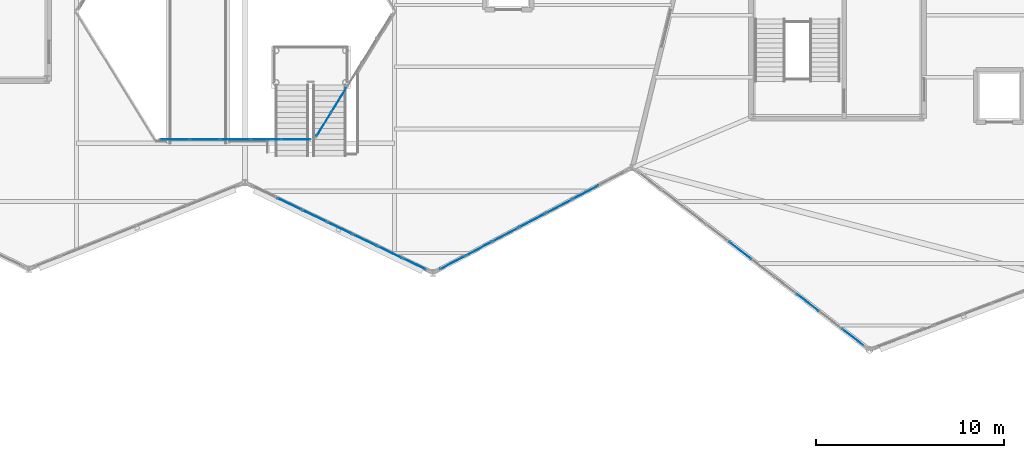
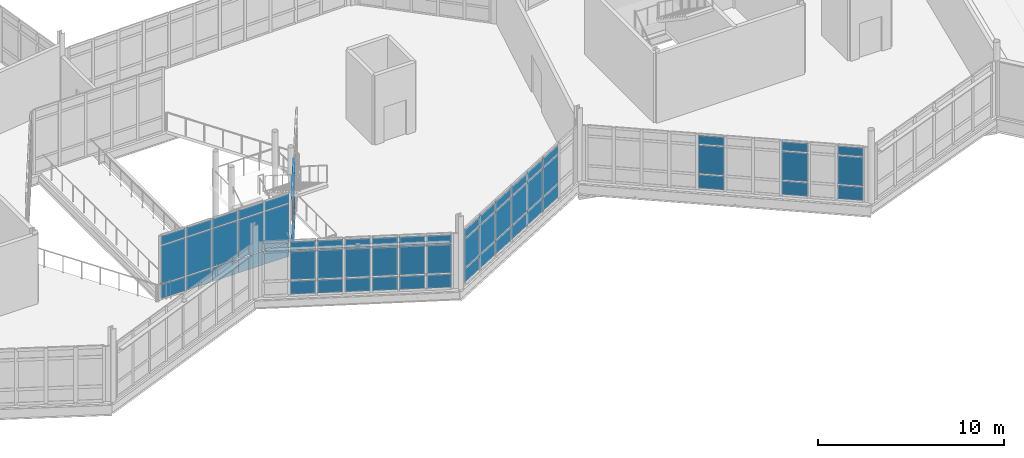
# One storey, part 71 of 114: 66 plates, 5 elements without a shape of their own.
"""IFC4 building model written with IfcOpenShell, lengths in metres."""

from ifc_helpers import new_model, si_unit, direction, frame, origin, origin_2d, place, context, subcontext, project, spatial, rectangle, extrude, material, layer, layer_set, type_object, element, aggregate, save


model = new_model("IFC4")

# Units and contexts
model_context = context("Model", 3, precision=1e-05, world=origin(), true_north=direction((0.0, 1.0)))
body_context = subcontext(model_context, "Body", "Model", "MODEL_VIEW")
ifc_project = project(units=[si_unit("LENGTHUNIT", "METRE"), si_unit("AREAUNIT", "SQUARE_METRE"), si_unit("VOLUMEUNIT", "CUBIC_METRE"), si_unit("PLANEANGLEUNIT", "RADIAN"), si_unit("MASSUNIT", "GRAM", prefix="KILO")], contexts=[model_context])

# Site, building, storey
site_placement = place(None, origin())
site = spatial("IfcSite", under=ifc_project, at=site_placement, CompositionType="ELEMENT")
building_placement = place(site_placement, origin())
building = spatial("IfcBuilding", under=site, at=building_placement, Name="Tameran Prism Museum", CompositionType="ELEMENT")
storey_placement = place(building_placement, frame((0.0, 0.0, 10.199951171875)))
storey = spatial("IfcBuildingStorey", under=building, at=storey_placement, Name="L02", CompositionType="ELEMENT", Elevation=10.199951171875)

# Curtain wall, plates
ifc_material_1 = material(Name="Anodised Aluminium 6063-T6 and Cyclone Solar Glass", Category="aluminium")
curtain_wall_type_1 = type_object("IfcCurtainWallType", Name="CW-ATR-810x424", PredefinedType="USERDEFINED", material=ifc_material_1)
curtain_wall_1_placement = place(storey_placement, origin())
curtain_wall_1 = element("IfcCurtainWall", 1, at=curtain_wall_1_placement, inside=storey, type_object=curtain_wall_type_1, Name="Unitised Curtain Wall CW-007", ObjectType="UNITISED CURTAIN WALL", PredefinedType="USERDEFINED")
ifc_material_2 = material(Name="Low-E Laminated Solar Glass", Category="glass")
ifc_layer_1 = layer(ifc_material_2, 0.028076171875)
ifc_layer_set_1 = layer_set([ifc_layer_1])
plate_type_1 = type_object("IfcPlateType", Name="CW-PNL-G28", PredefinedType="CURTAIN_PANEL", material=ifc_layer_set_1)
plate_1_placement = place(storey_placement, frame((73.7763671875, 29.699951171875, 0.06494140625), z_axis=(0.0, 0.0, 1.0), x_axis=(1.0, 0.0, 0.0)))
plate_1 = element("IfcPlate", 2, at=plate_1_placement, type_object=plate_type_1, Name="CW-007 panel 1.1", PredefinedType="CURTAIN_PANEL", context=body_context, shape_type="SweptSolid", body=[
    extrude(rectangle(XDim=1.5224609375, YDim=0.028076171875, at=origin_2d()), origin(), (0.0, 0.0, 1.0), 0.902587890625),
])
plate_2_placement = place(storey_placement, frame((73.7763671875, 29.699951171875, 1.032470703125), z_axis=(0.0, 0.0, 1.0), x_axis=(1.0, 0.0, 0.0)))
plate_2 = element("IfcPlate", 3, at=plate_2_placement, type_object=plate_type_1, Name="CW-007 panel 1.2", PredefinedType="CURTAIN_PANEL", context=body_context, shape_type="SweptSolid", body=[
    extrude(rectangle(XDim=1.5224609375, YDim=0.028076171875, at=origin_2d()), origin(), (0.0, 0.0, 1.0), 2.4951171875),
])
plate_3_placement = place(storey_placement, frame((73.7763671875, 29.699951171875, 3.592529296875), z_axis=(0.0, 0.0, 1.0), x_axis=(1.0, 0.0, 0.0)))
plate_3 = element("IfcPlate", 4, at=plate_3_placement, type_object=plate_type_1, Name="CW-007 panel 1.3", PredefinedType="CURTAIN_PANEL", context=body_context, shape_type="SweptSolid", body=[
    extrude(rectangle(XDim=1.5224609375, YDim=0.028076171875, at=origin_2d()), origin(), (0.0, 0.0, 1.0), 0.58251953125),
])
plate_4_placement = place(storey_placement, frame((75.3798828125, 29.699951171875, 0.06494140625), z_axis=(0.0, 0.0, 1.0), x_axis=(1.0, 0.0, 0.0)))
plate_4 = element("IfcPlate", 5, at=plate_4_placement, type_object=plate_type_1, Name="CW-007 panel 2.1", PredefinedType="CURTAIN_PANEL", context=body_context, shape_type="SweptSolid", body=[
    extrude(rectangle(XDim=1.554931640625, YDim=0.028076171875, at=origin_2d()), origin(), (0.0, 0.0, 1.0), 0.902587890625),
])
plate_5_placement = place(storey_placement, frame((75.3798828125, 29.699951171875, 1.032470703125), z_axis=(0.0, 0.0, 1.0), x_axis=(1.0, 0.0, 0.0)))
plate_5 = element("IfcPlate", 6, at=plate_5_placement, type_object=plate_type_1, Name="CW-007 panel 2.2", PredefinedType="CURTAIN_PANEL", context=body_context, shape_type="SweptSolid", body=[
    extrude(rectangle(XDim=1.554931640625, YDim=0.028076171875, at=origin_2d()), origin(), (0.0, 0.0, 1.0), 2.4951171875),
])
plate_6_placement = place(storey_placement, frame((75.3798828125, 29.699951171875, 3.592529296875), z_axis=(0.0, 0.0, 1.0), x_axis=(1.0, 0.0, 0.0)))
plate_6 = element("IfcPlate", 7, at=plate_6_placement, type_object=plate_type_1, Name="CW-007 panel 2.3", PredefinedType="CURTAIN_PANEL", context=body_context, shape_type="SweptSolid", body=[
    extrude(rectangle(XDim=1.554931640625, YDim=0.028076171875, at=origin_2d()), origin(), (0.0, 0.0, 1.0), 0.58251953125),
])
plate_7_placement = place(storey_placement, frame((77.0, 29.699951171875, 0.06494140625), z_axis=(0.0, 0.0, 1.0), x_axis=(1.0, 0.0, 0.0)))
plate_7 = element("IfcPlate", 8, at=plate_7_placement, type_object=plate_type_1, Name="CW-007 panel 3.1", PredefinedType="CURTAIN_PANEL", context=body_context, shape_type="SweptSolid", body=[
    extrude(rectangle(XDim=1.554931640625, YDim=0.028076171875, at=origin_2d()), origin(), (0.0, 0.0, 1.0), 0.902587890625),
])
plate_8_placement = place(storey_placement, frame((77.0, 29.699951171875, 1.032470703125), z_axis=(0.0, 0.0, 1.0), x_axis=(1.0, 0.0, 0.0)))
plate_8 = element("IfcPlate", 9, at=plate_8_placement, type_object=plate_type_1, Name="CW-007 panel 3.2", PredefinedType="CURTAIN_PANEL", context=body_context, shape_type="SweptSolid", body=[
    extrude(rectangle(XDim=1.554931640625, YDim=0.028076171875, at=origin_2d()), origin(), (0.0, 0.0, 1.0), 2.4951171875),
])
plate_9_placement = place(storey_placement, frame((77.0, 29.699951171875, 3.592529296875), z_axis=(0.0, 0.0, 1.0), x_axis=(1.0, 0.0, 0.0)))
plate_9 = element("IfcPlate", 10, at=plate_9_placement, type_object=plate_type_1, Name="CW-007 panel 3.3", PredefinedType="CURTAIN_PANEL", context=body_context, shape_type="SweptSolid", body=[
    extrude(rectangle(XDim=1.554931640625, YDim=0.028076171875, at=origin_2d()), origin(), (0.0, 0.0, 1.0), 0.58251953125),
])
plate_10_placement = place(storey_placement, frame((78.6201171875, 29.699951171875, 0.06494140625), z_axis=(0.0, 0.0, 1.0), x_axis=(1.0, 0.0, 0.0)))
plate_10 = element("IfcPlate", 11, at=plate_10_placement, type_object=plate_type_1, Name="CW-007 panel 4.1", PredefinedType="CURTAIN_PANEL", context=body_context, shape_type="SweptSolid", body=[
    extrude(rectangle(XDim=1.554931640625, YDim=0.028076171875, at=origin_2d()), origin(), (0.0, 0.0, 1.0), 0.902587890625),
])
plate_11_placement = place(storey_placement, frame((78.6201171875, 29.699951171875, 1.032470703125), z_axis=(0.0, 0.0, 1.0), x_axis=(1.0, 0.0, 0.0)))
plate_11 = element("IfcPlate", 12, at=plate_11_placement, type_object=plate_type_1, Name="CW-007 panel 4.2", PredefinedType="CURTAIN_PANEL", context=body_context, shape_type="SweptSolid", body=[
    extrude(rectangle(XDim=1.554931640625, YDim=0.028076171875, at=origin_2d()), origin(), (0.0, 0.0, 1.0), 2.4951171875),
])
plate_12_placement = place(storey_placement, frame((78.6201171875, 29.699951171875, 3.592529296875), z_axis=(0.0, 0.0, 1.0), x_axis=(1.0, 0.0, 0.0)))
plate_12 = element("IfcPlate", 13, at=plate_12_placement, type_object=plate_type_1, Name="CW-007 panel 4.3", PredefinedType="CURTAIN_PANEL", context=body_context, shape_type="SweptSolid", body=[
    extrude(rectangle(XDim=1.554931640625, YDim=0.028076171875, at=origin_2d()), origin(), (0.0, 0.0, 1.0), 0.58251953125),
])
plate_13_placement = place(storey_placement, frame((80.2236328125, 29.699951171875, 0.06494140625), z_axis=(0.0, 0.0, 1.0), x_axis=(1.0, 0.0, 0.0)))
plate_13 = element("IfcPlate", 14, at=plate_13_placement, type_object=plate_type_1, Name="CW-007 panel 5.1", PredefinedType="CURTAIN_PANEL", context=body_context, shape_type="SweptSolid", body=[
    extrude(rectangle(XDim=1.5224609375, YDim=0.028076171875, at=origin_2d()), origin(), (0.0, 0.0, 1.0), 0.902587890625),
])
plate_14_placement = place(storey_placement, frame((80.2236328125, 29.699951171875, 1.032470703125), z_axis=(0.0, 0.0, 1.0), x_axis=(1.0, 0.0, 0.0)))
plate_14 = element("IfcPlate", 15, at=plate_14_placement, type_object=plate_type_1, Name="CW-007 panel 5.2", PredefinedType="CURTAIN_PANEL", context=body_context, shape_type="SweptSolid", body=[
    extrude(rectangle(XDim=1.5224609375, YDim=0.028076171875, at=origin_2d()), origin(), (0.0, 0.0, 1.0), 2.4951171875),
])
plate_15_placement = place(storey_placement, frame((80.2236328125, 29.699951171875, 3.592529296875), z_axis=(0.0, 0.0, 1.0), x_axis=(1.0, 0.0, 0.0)))
plate_15 = element("IfcPlate", 16, at=plate_15_placement, type_object=plate_type_1, Name="CW-007 panel 5.3", PredefinedType="CURTAIN_PANEL", context=body_context, shape_type="SweptSolid", body=[
    extrude(rectangle(XDim=1.5224609375, YDim=0.028076171875, at=origin_2d()), origin(), (0.0, 0.0, 1.0), 0.58251953125),
])
aggregate(curtain_wall_1, [plate_1, plate_2, plate_3, plate_4, plate_5, plate_6, plate_7, plate_8, plate_9, plate_10, plate_11, plate_12, plate_13, plate_14, plate_15])

ifc_material_3 = material(Name="Anodised Aluminium 6063-T6 and Cyclone Solar Glass", Category="aluminium")
curtain_wall_type_2 = type_object("IfcCurtainWallType", Name="CW-ATR-769x424", PredefinedType="USERDEFINED", material=ifc_material_3)
curtain_wall_2_placement = place(storey_placement, origin())
curtain_wall_2 = element("IfcCurtainWall", 17, at=curtain_wall_2_placement, inside=storey, type_object=curtain_wall_type_2, Name="Unitised Curtain Wall CW-008", ObjectType="UNITISED CURTAIN WALL", PredefinedType="USERDEFINED")
plate_16_placement = place(storey_placement, frame((81.691650390625, 30.496337890625, 0.06494140625), z_axis=(0.0, 0.0, 1.0), x_axis=(0.525503952357, 0.850791158897, 0.0)))
plate_16 = element("IfcPlate", 18, at=plate_16_placement, type_object=plate_type_1, Name="CW-008 panel 1.1", PredefinedType="CURTAIN_PANEL", context=body_context, shape_type="SweptSolid", body=[
    extrude(rectangle(XDim=1.44091796875, YDim=0.028076171875, at=origin_2d()), origin(), (0.0, 0.0, 1.0), 0.902587890625),
])
plate_17_placement = place(storey_placement, frame((81.691650390625, 30.496337890625, 1.032470703125), z_axis=(0.0, 0.0, 1.0), x_axis=(0.525503952357, 0.850791158897, 0.0)))
plate_17 = element("IfcPlate", 19, at=plate_17_placement, type_object=plate_type_1, Name="CW-008 panel 1.2", PredefinedType="CURTAIN_PANEL", context=body_context, shape_type="SweptSolid", body=[
    extrude(rectangle(XDim=1.44091796875, YDim=0.028076171875, at=origin_2d()), origin(), (0.0, 0.0, 1.0), 2.4951171875),
])
plate_18_placement = place(storey_placement, frame((81.691650390625, 30.496337890625, 3.592529296875), z_axis=(0.0, 0.0, 1.0), x_axis=(0.525503952357, 0.850791158897, 0.0)))
plate_18 = element("IfcPlate", 20, at=plate_18_placement, type_object=plate_type_1, Name="CW-008 panel 1.3", PredefinedType="CURTAIN_PANEL", context=body_context, shape_type="SweptSolid", body=[
    extrude(rectangle(XDim=1.44091796875, YDim=0.028076171875, at=origin_2d()), origin(), (0.0, 0.0, 1.0), 0.58251953125),
])
plate_19_placement = place(storey_placement, frame((82.49169921875, 31.791259765625, 0.06494140625), z_axis=(0.0, 0.0, 1.0), x_axis=(0.525503952357, 0.850791158897, 0.0)))
plate_19 = element("IfcPlate", 21, at=plate_19_placement, type_object=plate_type_1, Name="CW-008 panel 2.1", PredefinedType="CURTAIN_PANEL", context=body_context, shape_type="SweptSolid", body=[
    extrude(rectangle(XDim=1.473388671875, YDim=0.028076171875, at=origin_2d()), origin(), (0.0, 0.0, 1.0), 0.902587890625),
])
plate_20_placement = place(storey_placement, frame((82.49169921875, 31.791259765625, 1.032470703125), z_axis=(0.0, 0.0, 1.0), x_axis=(0.525503952357, 0.850791158897, 0.0)))
plate_20 = element("IfcPlate", 22, at=plate_20_placement, type_object=plate_type_1, Name="CW-008 panel 2.2", PredefinedType="CURTAIN_PANEL", context=body_context, shape_type="SweptSolid", body=[
    extrude(rectangle(XDim=1.473388671875, YDim=0.028076171875, at=origin_2d()), origin(), (0.0, 0.0, 1.0), 2.4951171875),
])
plate_21_placement = place(storey_placement, frame((82.49169921875, 31.791259765625, 3.592529296875), z_axis=(0.0, 0.0, 1.0), x_axis=(0.525503952357, 0.850791158897, 0.0)))
plate_21 = element("IfcPlate", 23, at=plate_21_placement, type_object=plate_type_1, Name="CW-008 panel 2.3", PredefinedType="CURTAIN_PANEL", context=body_context, shape_type="SweptSolid", body=[
    extrude(rectangle(XDim=1.473388671875, YDim=0.028076171875, at=origin_2d()), origin(), (0.0, 0.0, 1.0), 0.58251953125),
])
aggregate(curtain_wall_2, [plate_16, plate_17, plate_18, plate_19, plate_20, plate_21])

ifc_material_4 = material(Name="Anodised Aluminium 6063-T6 and Cyclone Solar Glass", Category="aluminium")
curtain_wall_type_3 = type_object("IfcCurtainWallType", Name="CW-FAC-1123x362", PredefinedType="USERDEFINED", material=ifc_material_4)
curtain_wall_3_placement = place(storey_placement, origin())
curtain_wall_3 = element("IfcCurtainWall", 24, at=curtain_wall_3_placement, inside=storey, type_object=curtain_wall_type_3, Name="Unitised Curtain Wall CW-110", ObjectType="UNITISED CURTAIN WALL", PredefinedType="USERDEFINED")
plate_22_placement = place(storey_placement, frame((95.6103515625, 26.884765625, 0.080078125), z_axis=(0.0, 0.0, 1.0), x_axis=(-0.884175340483, -0.467155185438, 0.0)))
plate_22 = element("IfcPlate", 25, at=plate_22_placement, type_object=plate_type_1, Name="CW-110 panel 2.1", PredefinedType="CURTAIN_PANEL", context=body_context, shape_type="SweptSolid", body=[
    extrude(rectangle(XDim=1.524169921875, YDim=0.028076171875, at=origin_2d()), origin(), (0.0, 0.0, 1.0), 0.8798828125),
])
plate_23_placement = place(storey_placement, frame((95.6103515625, 26.884765625, 1.0400390625), z_axis=(0.0, 0.0, 1.0), x_axis=(-0.884175340483, -0.467155185438, 0.0)))
plate_23 = element("IfcPlate", 26, at=plate_23_placement, type_object=plate_type_1, Name="CW-110 panel 2.2", PredefinedType="CURTAIN_PANEL", context=body_context, shape_type="SweptSolid", body=[
    extrude(rectangle(XDim=1.524169921875, YDim=0.028076171875, at=origin_2d()), origin(), (0.0, 0.0, 1.0), 1.860107421875),
])
plate_24_placement = place(storey_placement, frame((95.6103515625, 26.884765625, 2.97998046875), z_axis=(0.0, 0.0, 1.0), x_axis=(-0.884175340483, -0.467155185438, 0.0)))
plate_24 = element("IfcPlate", 27, at=plate_24_placement, type_object=plate_type_1, Name="CW-110 panel 2.3", PredefinedType="CURTAIN_PANEL", context=body_context, shape_type="SweptSolid", body=[
    extrude(rectangle(XDim=1.524169921875, YDim=0.028076171875, at=origin_2d()), origin(), (0.0, 0.0, 1.0), 0.56005859375),
])
plate_25_placement = place(storey_placement, frame((94.19189453125, 26.135498046875, 0.080078125), z_axis=(0.0, 0.0, 1.0), x_axis=(-0.884175340483, -0.467155185438, 0.0)))
plate_25 = element("IfcPlate", 28, at=plate_25_placement, type_object=plate_type_1, Name="CW-110 panel 3.1", PredefinedType="CURTAIN_PANEL", context=body_context, shape_type="SweptSolid", body=[
    extrude(rectangle(XDim=1.524169921875, YDim=0.028076171875, at=origin_2d()), origin(), (0.0, 0.0, 1.0), 0.8798828125),
])
plate_26_placement = place(storey_placement, frame((94.19189453125, 26.135498046875, 1.0400390625), z_axis=(0.0, 0.0, 1.0), x_axis=(-0.884175340483, -0.467155185438, 0.0)))
plate_26 = element("IfcPlate", 29, at=plate_26_placement, type_object=plate_type_1, Name="CW-110 panel 3.2", PredefinedType="CURTAIN_PANEL", context=body_context, shape_type="SweptSolid", body=[
    extrude(rectangle(XDim=1.524169921875, YDim=0.028076171875, at=origin_2d()), origin(), (0.0, 0.0, 1.0), 1.860107421875),
])
plate_27_placement = place(storey_placement, frame((94.19189453125, 26.135498046875, 2.97998046875), z_axis=(0.0, 0.0, 1.0), x_axis=(-0.884175340483, -0.467155185438, 0.0)))
plate_27 = element("IfcPlate", 30, at=plate_27_placement, type_object=plate_type_1, Name="CW-110 panel 3.3", PredefinedType="CURTAIN_PANEL", context=body_context, shape_type="SweptSolid", body=[
    extrude(rectangle(XDim=1.524169921875, YDim=0.028076171875, at=origin_2d()), origin(), (0.0, 0.0, 1.0), 0.56005859375),
])
plate_28_placement = place(storey_placement, frame((92.7734375, 25.385986328125, 0.080078125), z_axis=(0.0, 0.0, 1.0), x_axis=(-0.884175340483, -0.467155185438, 0.0)))
plate_28 = element("IfcPlate", 31, at=plate_28_placement, type_object=plate_type_1, Name="CW-110 panel 4.1", PredefinedType="CURTAIN_PANEL", context=body_context, shape_type="SweptSolid", body=[
    extrude(rectangle(XDim=1.524169921875, YDim=0.028076171875, at=origin_2d()), origin(), (0.0, 0.0, 1.0), 0.8798828125),
])
plate_29_placement = place(storey_placement, frame((92.7734375, 25.385986328125, 1.0400390625), z_axis=(0.0, 0.0, 1.0), x_axis=(-0.884175340483, -0.467155185438, 0.0)))
plate_29 = element("IfcPlate", 32, at=plate_29_placement, type_object=plate_type_1, Name="CW-110 panel 4.2", PredefinedType="CURTAIN_PANEL", context=body_context, shape_type="SweptSolid", body=[
    extrude(rectangle(XDim=1.524169921875, YDim=0.028076171875, at=origin_2d()), origin(), (0.0, 0.0, 1.0), 1.860107421875),
])
plate_30_placement = place(storey_placement, frame((92.7734375, 25.385986328125, 2.97998046875), z_axis=(0.0, 0.0, 1.0), x_axis=(-0.884175340483, -0.467155185438, 0.0)))
plate_30 = element("IfcPlate", 33, at=plate_30_placement, type_object=plate_type_1, Name="CW-110 panel 4.3", PredefinedType="CURTAIN_PANEL", context=body_context, shape_type="SweptSolid", body=[
    extrude(rectangle(XDim=1.524169921875, YDim=0.028076171875, at=origin_2d()), origin(), (0.0, 0.0, 1.0), 0.56005859375),
])
plate_31_placement = place(storey_placement, frame((91.35498046875, 24.636474609375, 0.080078125), z_axis=(0.0, 0.0, 1.0), x_axis=(-0.884175340483, -0.467155185438, 0.0)))
plate_31 = element("IfcPlate", 34, at=plate_31_placement, type_object=plate_type_1, Name="CW-110 panel 5.1", PredefinedType="CURTAIN_PANEL", context=body_context, shape_type="SweptSolid", body=[
    extrude(rectangle(XDim=1.524169921875, YDim=0.028076171875, at=origin_2d()), origin(), (0.0, 0.0, 1.0), 0.8798828125),
])
plate_32_placement = place(storey_placement, frame((91.35498046875, 24.636474609375, 1.0400390625), z_axis=(0.0, 0.0, 1.0), x_axis=(-0.884175340483, -0.467155185438, 0.0)))
plate_32 = element("IfcPlate", 35, at=plate_32_placement, type_object=plate_type_1, Name="CW-110 panel 5.2", PredefinedType="CURTAIN_PANEL", context=body_context, shape_type="SweptSolid", body=[
    extrude(rectangle(XDim=1.524169921875, YDim=0.028076171875, at=origin_2d()), origin(), (0.0, 0.0, 1.0), 1.860107421875),
])
plate_33_placement = place(storey_placement, frame((91.35498046875, 24.636474609375, 2.97998046875), z_axis=(0.0, 0.0, 1.0), x_axis=(-0.884175340483, -0.467155185438, 0.0)))
plate_33 = element("IfcPlate", 36, at=plate_33_placement, type_object=plate_type_1, Name="CW-110 panel 5.3", PredefinedType="CURTAIN_PANEL", context=body_context, shape_type="SweptSolid", body=[
    extrude(rectangle(XDim=1.524169921875, YDim=0.028076171875, at=origin_2d()), origin(), (0.0, 0.0, 1.0), 0.56005859375),
])
plate_34_placement = place(storey_placement, frame((89.9365234375, 23.88720703125, 0.080078125), z_axis=(0.0, 0.0, 1.0), x_axis=(-0.884175340483, -0.467155185438, 0.0)))
plate_34 = element("IfcPlate", 37, at=plate_34_placement, type_object=plate_type_1, Name="CW-110 panel 6.1", PredefinedType="CURTAIN_PANEL", context=body_context, shape_type="SweptSolid", body=[
    extrude(rectangle(XDim=1.524169921875, YDim=0.028076171875, at=origin_2d()), origin(), (0.0, 0.0, 1.0), 0.8798828125),
])
plate_35_placement = place(storey_placement, frame((89.9365234375, 23.88720703125, 1.0400390625), z_axis=(0.0, 0.0, 1.0), x_axis=(-0.884175340483, -0.467155185438, 0.0)))
plate_35 = element("IfcPlate", 38, at=plate_35_placement, type_object=plate_type_1, Name="CW-110 panel 6.2", PredefinedType="CURTAIN_PANEL", context=body_context, shape_type="SweptSolid", body=[
    extrude(rectangle(XDim=1.524169921875, YDim=0.028076171875, at=origin_2d()), origin(), (0.0, 0.0, 1.0), 1.860107421875),
])
plate_36_placement = place(storey_placement, frame((89.9365234375, 23.88720703125, 2.97998046875), z_axis=(0.0, 0.0, 1.0), x_axis=(-0.884175340483, -0.467155185438, 0.0)))
plate_36 = element("IfcPlate", 39, at=plate_36_placement, type_object=plate_type_1, Name="CW-110 panel 6.3", PredefinedType="CURTAIN_PANEL", context=body_context, shape_type="SweptSolid", body=[
    extrude(rectangle(XDim=1.524169921875, YDim=0.028076171875, at=origin_2d()), origin(), (0.0, 0.0, 1.0), 0.56005859375),
])
plate_37_placement = place(storey_placement, frame((88.535888671875, 23.14697265625, 0.080078125), z_axis=(0.0, 0.0, 1.0), x_axis=(-0.884175340483, -0.467155185438, 0.0)))
plate_37 = element("IfcPlate", 40, at=plate_37_placement, type_object=plate_type_1, Name="CW-110 panel 7.1", PredefinedType="CURTAIN_PANEL", context=body_context, shape_type="SweptSolid", body=[
    extrude(rectangle(XDim=1.484130859375, YDim=0.028076171875, at=origin_2d()), origin(), (0.0, 0.0, 1.0), 0.8798828125),
])
plate_38_placement = place(storey_placement, frame((88.535888671875, 23.14697265625, 1.0400390625), z_axis=(0.0, 0.0, 1.0), x_axis=(-0.884175340483, -0.467155185438, 0.0)))
plate_38 = element("IfcPlate", 41, at=plate_38_placement, type_object=plate_type_1, Name="CW-110 panel 7.2", PredefinedType="CURTAIN_PANEL", context=body_context, shape_type="SweptSolid", body=[
    extrude(rectangle(XDim=1.484130859375, YDim=0.028076171875, at=origin_2d()), origin(), (0.0, 0.0, 1.0), 1.860107421875),
])
plate_39_placement = place(storey_placement, frame((88.535888671875, 23.14697265625, 2.97998046875), z_axis=(0.0, 0.0, 1.0), x_axis=(-0.884175340483, -0.467155185438, 0.0)))
plate_39 = element("IfcPlate", 42, at=plate_39_placement, type_object=plate_type_1, Name="CW-110 panel 7.3", PredefinedType="CURTAIN_PANEL", context=body_context, shape_type="SweptSolid", body=[
    extrude(rectangle(XDim=1.484130859375, YDim=0.028076171875, at=origin_2d()), origin(), (0.0, 0.0, 1.0), 0.56005859375),
])
aggregate(curtain_wall_3, [plate_22, plate_23, plate_24, plate_25, plate_26, plate_27, plate_28, plate_29, plate_30, plate_31, plate_32, plate_33, plate_34, plate_35, plate_36, plate_37, plate_38, plate_39])

ifc_material_5 = material(Name="Anodised Aluminium 6063-T6 and Cyclone Solar Glass", Category="aluminium")
curtain_wall_type_4 = type_object("IfcCurtainWallType", Name="CW-FAC-1033x362", PredefinedType="USERDEFINED", material=ifc_material_5)
curtain_wall_4_placement = place(storey_placement, origin())
curtain_wall_4 = element("IfcCurtainWall", 43, at=curtain_wall_4_placement, inside=storey, type_object=curtain_wall_type_4, Name="Unitised Curtain Wall CW-109", ObjectType="UNITISED CURTAIN WALL", PredefinedType="USERDEFINED")
ifc_material_6 = material(Name="Cyclone Laminated Solar Glass", Category="glass")
ifc_layer_2 = layer(ifc_material_6, 0.031982421875)
ifc_layer_set_2 = layer_set([ifc_layer_2])
plate_type_2 = type_object("IfcPlateType", Name="CW-PNL-G32", PredefinedType="CURTAIN_PANEL", material=ifc_layer_set_2)
plate_40_placement = place(storey_placement, frame((86.501708984375, 23.07861328125, 0.0751953125), z_axis=(0.0, 0.0, 1.0), x_axis=(-0.901474721245, 0.432831753637, 0.0)))
plate_40 = element("IfcPlate", 44, at=plate_40_placement, type_object=plate_type_2, Name="CW-109 panel 1.1", PredefinedType="CURTAIN_PANEL", context=body_context, shape_type="SweptSolid", body=[
    extrude(rectangle(XDim=1.363525390625, YDim=0.031982421875, at=origin_2d()), origin(), (0.0, 0.0, 1.0), 0.887451171875),
])
plate_41_placement = place(storey_placement, frame((86.501708984375, 23.07861328125, 1.03759765625), z_axis=(0.0, 0.0, 1.0), x_axis=(-0.901474721245, 0.432831753637, 0.0)))
plate_41 = element("IfcPlate", 45, at=plate_41_placement, type_object=plate_type_2, Name="CW-109 panel 1.2", PredefinedType="CURTAIN_PANEL", context=body_context, shape_type="SweptSolid", body=[
    extrude(rectangle(XDim=1.363525390625, YDim=0.031982421875, at=origin_2d()), origin(), (0.0, 0.0, 1.0), 1.864990234375),
])
plate_42_placement = place(storey_placement, frame((86.501708984375, 23.07861328125, 2.9775390625), z_axis=(0.0, 0.0, 1.0), x_axis=(-0.901474721245, 0.432831753637, 0.0)))
plate_42 = element("IfcPlate", 46, at=plate_42_placement, type_object=plate_type_2, Name="CW-109 panel 1.3", PredefinedType="CURTAIN_PANEL", context=body_context, shape_type="SweptSolid", body=[
    extrude(rectangle(XDim=1.363525390625, YDim=0.031982421875, at=origin_2d()), origin(), (0.0, 0.0, 1.0), 0.5673828125),
])
plate_43_placement = place(storey_placement, frame((85.188232421875, 23.709228515625, 0.0751953125), z_axis=(0.0, 0.0, 1.0), x_axis=(-0.901474721245, 0.432831753637, 0.0)))
plate_43 = element("IfcPlate", 47, at=plate_43_placement, type_object=plate_type_2, Name="CW-109 panel 2.1", PredefinedType="CURTAIN_PANEL", context=body_context, shape_type="SweptSolid", body=[
    extrude(rectangle(XDim=1.40087890625, YDim=0.031982421875, at=origin_2d()), origin(), (0.0, 0.0, 1.0), 0.887451171875),
])
plate_44_placement = place(storey_placement, frame((85.188232421875, 23.709228515625, 1.03759765625), z_axis=(0.0, 0.0, 1.0), x_axis=(-0.901474721245, 0.432831753637, 0.0)))
plate_44 = element("IfcPlate", 48, at=plate_44_placement, type_object=plate_type_2, Name="CW-109 panel 2.2", PredefinedType="CURTAIN_PANEL", context=body_context, shape_type="SweptSolid", body=[
    extrude(rectangle(XDim=1.40087890625, YDim=0.031982421875, at=origin_2d()), origin(), (0.0, 0.0, 1.0), 1.864990234375),
])
plate_45_placement = place(storey_placement, frame((85.188232421875, 23.709228515625, 2.9775390625), z_axis=(0.0, 0.0, 1.0), x_axis=(-0.901474721245, 0.432831753637, 0.0)))
plate_45 = element("IfcPlate", 49, at=plate_45_placement, type_object=plate_type_2, Name="CW-109 panel 2.3", PredefinedType="CURTAIN_PANEL", context=body_context, shape_type="SweptSolid", body=[
    extrude(rectangle(XDim=1.40087890625, YDim=0.031982421875, at=origin_2d()), origin(), (0.0, 0.0, 1.0), 0.5673828125),
])
plate_46_placement = place(storey_placement, frame((83.857666015625, 24.34814453125, 0.0751953125), z_axis=(0.0, 0.0, 1.0), x_axis=(-0.901474721245, 0.432831753637, 0.0)))
plate_46 = element("IfcPlate", 50, at=plate_46_placement, type_object=plate_type_2, Name="CW-109 panel 3.1", PredefinedType="CURTAIN_PANEL", context=body_context, shape_type="SweptSolid", body=[
    extrude(rectangle(XDim=1.40087890625, YDim=0.031982421875, at=origin_2d()), origin(), (0.0, 0.0, 1.0), 0.887451171875),
])
plate_47_placement = place(storey_placement, frame((83.857666015625, 24.34814453125, 1.03759765625), z_axis=(0.0, 0.0, 1.0), x_axis=(-0.901474721245, 0.432831753637, 0.0)))
plate_47 = element("IfcPlate", 51, at=plate_47_placement, type_object=plate_type_2, Name="CW-109 panel 3.2", PredefinedType="CURTAIN_PANEL", context=body_context, shape_type="SweptSolid", body=[
    extrude(rectangle(XDim=1.40087890625, YDim=0.031982421875, at=origin_2d()), origin(), (0.0, 0.0, 1.0), 1.864990234375),
])
plate_48_placement = place(storey_placement, frame((83.857666015625, 24.34814453125, 2.9775390625), z_axis=(0.0, 0.0, 1.0), x_axis=(-0.901474721245, 0.432831753637, 0.0)))
plate_48 = element("IfcPlate", 52, at=plate_48_placement, type_object=plate_type_2, Name="CW-109 panel 3.3", PredefinedType="CURTAIN_PANEL", context=body_context, shape_type="SweptSolid", body=[
    extrude(rectangle(XDim=1.40087890625, YDim=0.031982421875, at=origin_2d()), origin(), (0.0, 0.0, 1.0), 0.5673828125),
])
plate_49_placement = place(storey_placement, frame((82.527099609375, 24.987060546875, 0.0751953125), z_axis=(0.0, 0.0, 1.0), x_axis=(-0.901474721245, 0.432831753637, 0.0)))
plate_49 = element("IfcPlate", 53, at=plate_49_placement, type_object=plate_type_2, Name="CW-109 panel 4.1", PredefinedType="CURTAIN_PANEL", context=body_context, shape_type="SweptSolid", body=[
    extrude(rectangle(XDim=1.40087890625, YDim=0.031982421875, at=origin_2d()), origin(), (0.0, 0.0, 1.0), 0.887451171875),
])
plate_50_placement = place(storey_placement, frame((82.527099609375, 24.987060546875, 1.03759765625), z_axis=(0.0, 0.0, 1.0), x_axis=(-0.901474721245, 0.432831753637, 0.0)))
plate_50 = element("IfcPlate", 54, at=plate_50_placement, type_object=plate_type_2, Name="CW-109 panel 4.2", PredefinedType="CURTAIN_PANEL", context=body_context, shape_type="SweptSolid", body=[
    extrude(rectangle(XDim=1.40087890625, YDim=0.031982421875, at=origin_2d()), origin(), (0.0, 0.0, 1.0), 1.864990234375),
])
plate_51_placement = place(storey_placement, frame((82.527099609375, 24.987060546875, 2.9775390625), z_axis=(0.0, 0.0, 1.0), x_axis=(-0.901474721245, 0.432831753637, 0.0)))
plate_51 = element("IfcPlate", 55, at=plate_51_placement, type_object=plate_type_2, Name="CW-109 panel 4.3", PredefinedType="CURTAIN_PANEL", context=body_context, shape_type="SweptSolid", body=[
    extrude(rectangle(XDim=1.40087890625, YDim=0.031982421875, at=origin_2d()), origin(), (0.0, 0.0, 1.0), 0.5673828125),
])
plate_52_placement = place(storey_placement, frame((81.196533203125, 25.6259765625, 0.0751953125), z_axis=(0.0, 0.0, 1.0), x_axis=(-0.901474721245, 0.432831753637, 0.0)))
plate_52 = element("IfcPlate", 56, at=plate_52_placement, type_object=plate_type_2, Name="CW-109 panel 5.1", PredefinedType="CURTAIN_PANEL", context=body_context, shape_type="SweptSolid", body=[
    extrude(rectangle(XDim=1.40087890625, YDim=0.031982421875, at=origin_2d()), origin(), (0.0, 0.0, 1.0), 0.887451171875),
])
plate_53_placement = place(storey_placement, frame((81.196533203125, 25.6259765625, 1.03759765625), z_axis=(0.0, 0.0, 1.0), x_axis=(-0.901474721245, 0.432831753637, 0.0)))
plate_53 = element("IfcPlate", 57, at=plate_53_placement, type_object=plate_type_2, Name="CW-109 panel 5.2", PredefinedType="CURTAIN_PANEL", context=body_context, shape_type="SweptSolid", body=[
    extrude(rectangle(XDim=1.40087890625, YDim=0.031982421875, at=origin_2d()), origin(), (0.0, 0.0, 1.0), 1.864990234375),
])
plate_54_placement = place(storey_placement, frame((81.196533203125, 25.6259765625, 2.9775390625), z_axis=(0.0, 0.0, 1.0), x_axis=(-0.901474721245, 0.432831753637, 0.0)))
plate_54 = element("IfcPlate", 58, at=plate_54_placement, type_object=plate_type_2, Name="CW-109 panel 5.3", PredefinedType="CURTAIN_PANEL", context=body_context, shape_type="SweptSolid", body=[
    extrude(rectangle(XDim=1.40087890625, YDim=0.031982421875, at=origin_2d()), origin(), (0.0, 0.0, 1.0), 0.5673828125),
])
plate_55_placement = place(storey_placement, frame((79.865966796875, 26.2646484375, 0.0751953125), z_axis=(0.0, 0.0, 1.0), x_axis=(-0.901474721245, 0.432831753637, 0.0)))
plate_55 = element("IfcPlate", 59, at=plate_55_placement, type_object=plate_type_2, Name="CW-109 panel 6.1", PredefinedType="CURTAIN_PANEL", context=body_context, shape_type="SweptSolid", body=[
    extrude(rectangle(XDim=1.40087890625, YDim=0.031982421875, at=origin_2d()), origin(), (0.0, 0.0, 1.0), 0.887451171875),
])
plate_56_placement = place(storey_placement, frame((79.865966796875, 26.2646484375, 1.03759765625), z_axis=(0.0, 0.0, 1.0), x_axis=(-0.901474721245, 0.432831753637, 0.0)))
plate_56 = element("IfcPlate", 60, at=plate_56_placement, type_object=plate_type_2, Name="CW-109 panel 6.2", PredefinedType="CURTAIN_PANEL", context=body_context, shape_type="SweptSolid", body=[
    extrude(rectangle(XDim=1.40087890625, YDim=0.031982421875, at=origin_2d()), origin(), (0.0, 0.0, 1.0), 1.864990234375),
])
plate_57_placement = place(storey_placement, frame((79.865966796875, 26.2646484375, 2.9775390625), z_axis=(0.0, 0.0, 1.0), x_axis=(-0.901474721245, 0.432831753637, 0.0)))
plate_57 = element("IfcPlate", 61, at=plate_57_placement, type_object=plate_type_2, Name="CW-109 panel 6.3", PredefinedType="CURTAIN_PANEL", context=body_context, shape_type="SweptSolid", body=[
    extrude(rectangle(XDim=1.40087890625, YDim=0.031982421875, at=origin_2d()), origin(), (0.0, 0.0, 1.0), 0.5673828125),
])
aggregate(curtain_wall_4, [plate_40, plate_41, plate_42, plate_43, plate_44, plate_45, plate_46, plate_47, plate_48, plate_49, plate_50, plate_51, plate_52, plate_53, plate_54, plate_55, plate_56, plate_57])

ifc_material_7 = material(Name="Anodised Aluminium 6063-T6 and Cyclone Solar Glass", Category="aluminium")
curtain_wall_type_5 = type_object("IfcCurtainWallType", Name="CW-FAC-1514x362", PredefinedType="USERDEFINED", material=ifc_material_7)
curtain_wall_5_placement = place(storey_placement, origin())
curtain_wall_5 = element("IfcCurtainWall", 62, at=curtain_wall_5_placement, inside=storey, type_object=curtain_wall_type_5, Name="Unitised Curtain Wall CW-116", ObjectType="UNITISED CURTAIN WALL", PredefinedType="USERDEFINED")
plate_58_placement = place(storey_placement, frame((109.80908203125, 19.185546875, 0.070068359375), z_axis=(0.0, 0.0, 1.0), x_axis=(-0.79240053299, 0.610001143702, 0.0)))
plate_58 = element("IfcPlate", 63, at=plate_58_placement, type_object=plate_type_2, Name="CW-116 panel 1.1", PredefinedType="CURTAIN_PANEL", context=body_context, shape_type="SweptSolid", body=[
    extrude(rectangle(XDim=1.4091796875, YDim=0.031982421875, at=origin_2d()), origin(), (0.0, 0.0, 1.0), 0.89501953125),
])
plate_59_placement = place(storey_placement, frame((109.80908203125, 19.185546875, 1.034912109375), z_axis=(0.0, 0.0, 1.0), x_axis=(-0.79240053299, 0.610001143702, 0.0)))
plate_59 = element("IfcPlate", 64, at=plate_59_placement, type_object=plate_type_2, Name="CW-116 panel 1.2", PredefinedType="CURTAIN_PANEL", context=body_context, shape_type="SweptSolid", body=[
    extrude(rectangle(XDim=1.4091796875, YDim=0.031982421875, at=origin_2d()), origin(), (0.0, 0.0, 1.0), 1.8701171875),
])
plate_60_placement = place(storey_placement, frame((109.80908203125, 19.185546875, 2.97509765625), z_axis=(0.0, 0.0, 1.0), x_axis=(-0.79240053299, 0.610001143702, 0.0)))
plate_60 = element("IfcPlate", 65, at=plate_60_placement, type_object=plate_type_2, Name="CW-116 panel 1.3", PredefinedType="CURTAIN_PANEL", context=body_context, shape_type="SweptSolid", body=[
    extrude(rectangle(XDim=1.4091796875, YDim=0.031982421875, at=origin_2d()), origin(), (0.0, 0.0, 1.0), 0.574951171875),
])
plate_61_placement = place(storey_placement, frame((107.42333984375, 21.022216796875, 0.070068359375), z_axis=(0.0, 0.0, 1.0), x_axis=(-0.79240053299, 0.610001143702, 0.0)))
plate_61 = element("IfcPlate", 66, at=plate_61_placement, type_object=plate_type_2, Name="CW-116 panel 3.1", PredefinedType="CURTAIN_PANEL", context=body_context, shape_type="SweptSolid", body=[
    extrude(rectangle(XDim=1.4443359375, YDim=0.031982421875, at=origin_2d()), origin(), (0.0, 0.0, 1.0), 0.89501953125),
])
plate_62_placement = place(storey_placement, frame((107.42333984375, 21.022216796875, 1.034912109375), z_axis=(0.0, 0.0, 1.0), x_axis=(-0.79240053299, 0.610001143702, 0.0)))
plate_62 = element("IfcPlate", 67, at=plate_62_placement, type_object=plate_type_2, Name="CW-116 panel 3.2", PredefinedType="CURTAIN_PANEL", context=body_context, shape_type="SweptSolid", body=[
    extrude(rectangle(XDim=1.4443359375, YDim=0.031982421875, at=origin_2d()), origin(), (0.0, 0.0, 1.0), 1.8701171875),
])
plate_63_placement = place(storey_placement, frame((107.42333984375, 21.022216796875, 2.97509765625), z_axis=(0.0, 0.0, 1.0), x_axis=(-0.79240053299, 0.610001143702, 0.0)))
plate_63 = element("IfcPlate", 68, at=plate_63_placement, type_object=plate_type_2, Name="CW-116 panel 3.3", PredefinedType="CURTAIN_PANEL", context=body_context, shape_type="SweptSolid", body=[
    extrude(rectangle(XDim=1.4443359375, YDim=0.031982421875, at=origin_2d()), origin(), (0.0, 0.0, 1.0), 0.574951171875),
])
plate_64_placement = place(storey_placement, frame((103.823486328125, 23.79345703125, 0.070068359375), z_axis=(0.0, 0.0, 1.0), x_axis=(-0.79240053299, 0.610001143702, 0.0)))
plate_64 = element("IfcPlate", 69, at=plate_64_placement, type_object=plate_type_2, Name="CW-116 panel 6.1", PredefinedType="CURTAIN_PANEL", context=body_context, shape_type="SweptSolid", body=[
    extrude(rectangle(XDim=1.4443359375, YDim=0.031982421875, at=origin_2d()), origin(), (0.0, 0.0, 1.0), 0.89501953125),
])
plate_65_placement = place(storey_placement, frame((103.823486328125, 23.79345703125, 1.034912109375), z_axis=(0.0, 0.0, 1.0), x_axis=(-0.79240053299, 0.610001143702, 0.0)))
plate_65 = element("IfcPlate", 70, at=plate_65_placement, type_object=plate_type_2, Name="CW-116 panel 6.2", PredefinedType="CURTAIN_PANEL", context=body_context, shape_type="SweptSolid", body=[
    extrude(rectangle(XDim=1.4443359375, YDim=0.031982421875, at=origin_2d()), origin(), (0.0, 0.0, 1.0), 1.8701171875),
])
plate_66_placement = place(storey_placement, frame((103.823486328125, 23.79345703125, 2.97509765625), z_axis=(0.0, 0.0, 1.0), x_axis=(-0.79240053299, 0.610001143702, 0.0)))
plate_66 = element("IfcPlate", 71, at=plate_66_placement, type_object=plate_type_2, Name="CW-116 panel 6.3", PredefinedType="CURTAIN_PANEL", context=body_context, shape_type="SweptSolid", body=[
    extrude(rectangle(XDim=1.4443359375, YDim=0.031982421875, at=origin_2d()), origin(), (0.0, 0.0, 1.0), 0.574951171875),
])
aggregate(curtain_wall_5, [plate_58, plate_59, plate_60, plate_61, plate_62, plate_63, plate_64, plate_65, plate_66])

save(model, "model.ifc")
